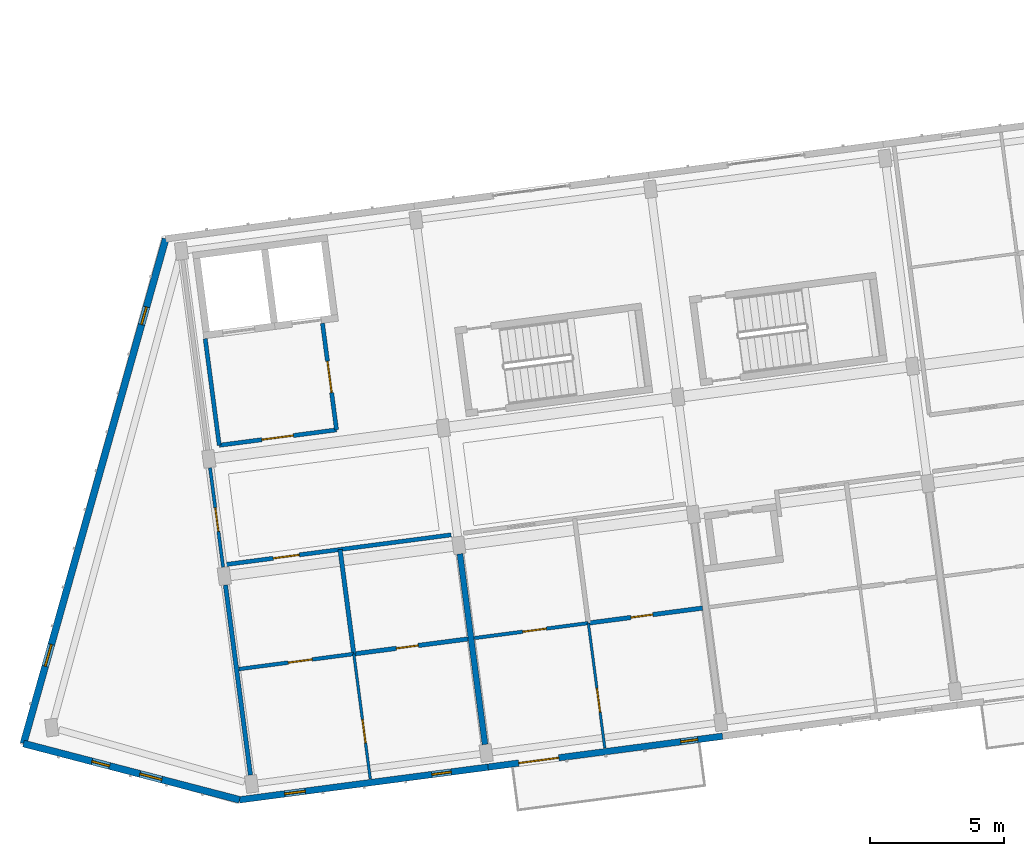
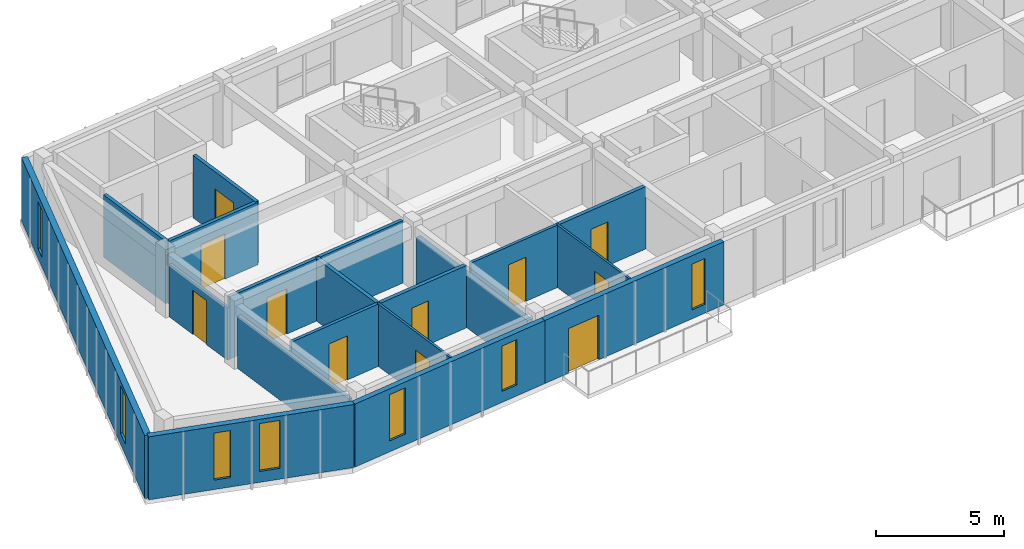
# One storey, part 12 of 31: 18 walls, 11 doors, 7 windows, 18 openings.
"""IFC4 building model written with IfcOpenShell, lengths in metres."""

from ifc_helpers import new_model, si_unit, direction, frame, frame_2d, origin, place, context, subcontext, project, spatial, rectangle, extrude, material, layer, layer_set, type_object, element, fill, save


model = new_model("IFC4")

# Units and contexts
model_context = context("Model", 3, precision=1e-05, world=origin(), true_north=direction((0.0, 1.0)))
body_context = subcontext(model_context, "Body", "Model", "MODEL_VIEW")
ifc_project = project(units=[si_unit("LENGTHUNIT", "METRE"), si_unit("AREAUNIT", "SQUARE_METRE"), si_unit("VOLUMEUNIT", "CUBIC_METRE"), si_unit("PLANEANGLEUNIT", "RADIAN"), si_unit("MASSUNIT", "GRAM", prefix="KILO")], contexts=[model_context])

# Site, building, storey
site_placement = place(None, origin())
site = spatial("IfcSite", under=ifc_project, at=site_placement, CompositionType="ELEMENT")
building_placement = place(site_placement, origin())
building = spatial("IfcBuilding", under=site, at=building_placement, Name="Kestramere Prow Commons", CompositionType="ELEMENT")
storey_placement = place(building_placement, frame((0.0, 0.0, 37.64990234375)))
storey = spatial("IfcBuildingStorey", under=building, at=storey_placement, Name="L11", CompositionType="ELEMENT", Elevation=37.64990234375)

# Wall, openings, windows
ifc_material_1 = material(Name="Weathered Zinc-Titanium Standing-Seam Cladding")
ifc_layer_1 = layer(ifc_material_1, 0.260009765625)
ifc_layer_set_1 = layer_set([ifc_layer_1], Name="Weathered Zinc-Titanium Standing-Seam Cladding")
wall_type_1 = type_object("IfcWallType", Name="EW-PROW-260", PredefinedType="SOLIDWALL", material=ifc_layer_set_1)
wall_1_placement = place(storey_placement, frame((10.748046875, 71.410888671875, 0.0), z_axis=(0.0, 0.0, 1.0), x_axis=(-0.967694955113, 0.252123925577, 0.0)))
wall_1 = element("IfcWall", 1, at=wall_1_placement, inside=storey, type_object=wall_type_1, Name="Block A L11 PRW-S Facet Wall", PredefinedType="SOLIDWALL", context=body_context, shape_type="SweptSolid", body=[
    extrude(rectangle(XDim=8.305419921875, YDim=0.260009765625, at=frame_2d((4.15283203125, 0.0))), origin(), (0.0, 0.0, 1.0), 3.0),
])
opening_1_placement = place(wall_1_placement, frame((2.989990234375, 0.0, 0.52001953125)))
opening_1 = element("IfcOpeningElement", 2, at=opening_1_placement, cuts=wall_1, Name="Opening WN-14", PredefinedType="OPENING", context=body_context, shape_type="SweptSolid", body=[
    extrude(rectangle(XDim=0.840087890625, YDim=2.280029296875, at=frame_2d((0.419921875, 1.14013671875))), frame((0.0, 0.14501953125, 0.0), z_axis=(0.0, -1.0, 0.0), x_axis=(1.0, 0.0, 0.0)), (0.0, 0.0, 1.0), 0.2900390625),
])
opening_2_placement = place(wall_1_placement, frame((4.995361328125, 0.0, 0.449951171875)))
opening_2 = element("IfcOpeningElement", 3, at=opening_2_placement, cuts=wall_1, Name="Opening WN-06", PredefinedType="OPENING", context=body_context, shape_type="SweptSolid", body=[
    extrude(rectangle(XDim=0.679931640625, YDim=2.239990234375, at=frame_2d((0.33984375, 1.1201171875))), frame((0.0, 0.14501953125, 0.0), z_axis=(0.0, -1.0, 0.0), x_axis=(1.0, 0.0, 0.0)), (0.0, 0.0, 1.0), 0.2900390625),
])
ifc_material_2 = material(Name="Low-E Laminated Double Glazing", Category="glass")
window_type_1 = type_object("IfcWindowType", Name="WN-NAR-680A", PartitioningType="SINGLE_PANEL", PredefinedType="WINDOW", material=ifc_material_2)
window_1_placement = place(opening_2_placement, origin())
window_1 = element("IfcWindow", 4, at=window_1_placement, inside=storey, type_object=window_type_1, Name="WN-A-L11-PRW-S-1", OverallHeight=2.239990234375, OverallWidth=0.679931640625, PartitioningType="SINGLE_PANEL", PredefinedType="WINDOW", context=body_context, shape_type="SweptSolid", body=[
    extrude(rectangle(XDim=0.679931640625, YDim=2.239990234375, at=frame_2d((0.33984375, 1.1201171875))), frame((0.0, 0.030029296875, 0.0), z_axis=(0.0, -1.0, 0.0), x_axis=(1.0, 0.0, 0.0)), (0.0, 0.0, 1.0), 0.06005859375),
])
fill(opening_2, window_1)
window_type_2 = type_object("IfcWindowType", Name="WN-NAR-840A", PartitioningType="DOUBLE_PANEL_VERTICAL", PredefinedType="WINDOW", material=ifc_material_2)
window_2_placement = place(opening_1_placement, origin())
window_2 = element("IfcWindow", 5, at=window_2_placement, inside=storey, type_object=window_type_2, Name="WN-A-L11-PRW-S-0", OverallHeight=2.280029296875, OverallWidth=0.840087890625, PartitioningType="SINGLE_PANEL", PredefinedType="WINDOW", context=body_context, shape_type="SweptSolid", body=[
    extrude(rectangle(XDim=0.840087890625, YDim=2.280029296875, at=frame_2d((0.419921875, 1.14013671875))), frame((0.0, 0.030029296875, 0.0), z_axis=(0.0, -1.0, 0.0), x_axis=(1.0, 0.0, 0.0)), (0.0, 0.0, 1.0), 0.06005859375),
])
fill(opening_1, window_2)

wall_2_placement = place(storey_placement, frame((2.7109375, 73.5048828125, 0.0), z_axis=(0.0, 0.0, 1.0), x_axis=(0.271165263368, 0.962532804606, 0.0)))
wall_2 = element("IfcWall", 6, at=wall_2_placement, inside=storey, type_object=wall_type_1, Name="Block A L11 PRW-N Facet Wall", PredefinedType="SOLIDWALL", context=body_context, shape_type="SweptSolid", body=[
    extrude(rectangle(XDim=19.5068359375, YDim=0.260009765625, at=frame_2d((9.75341796875, 0.0))), origin(), (0.0, 0.0, 1.0), 3.0),
])
opening_3_placement = place(wall_2_placement, frame((2.989990234375, 0.0, 0.52001953125)))
opening_3 = element("IfcOpeningElement", 7, at=opening_3_placement, cuts=wall_2, Name="Opening WN-14", PredefinedType="OPENING", context=body_context, shape_type="SweptSolid", body=[
    extrude(rectangle(XDim=0.840087890625, YDim=2.280029296875, at=frame_2d((0.419921875, 1.14013671875))), frame((0.0, 0.14501953125, 0.0), z_axis=(0.0, -1.0, 0.0), x_axis=(1.0, 0.0, 0.0)), (0.0, 0.0, 1.0), 0.2900390625),
])
opening_4_placement = place(wall_2_placement, frame((16.197021484375, 0.0, 0.449951171875)))
opening_4 = element("IfcOpeningElement", 8, at=opening_4_placement, cuts=wall_2, Name="Opening WN-06", PredefinedType="OPENING", context=body_context, shape_type="SweptSolid", body=[
    extrude(rectangle(XDim=0.679931640625, YDim=2.239990234375, at=frame_2d((0.33984375, 1.1201171875))), frame((0.0, 0.14501953125, 0.0), z_axis=(0.0, -1.0, 0.0), x_axis=(1.0, 0.0, 0.0)), (0.0, 0.0, 1.0), 0.2900390625),
])
window_3_placement = place(opening_4_placement, origin())
window_3 = element("IfcWindow", 9, at=window_3_placement, inside=storey, type_object=window_type_1, Name="WN-A-L11-PRW-N-1", OverallHeight=2.239990234375, OverallWidth=0.679931640625, PartitioningType="SINGLE_PANEL", PredefinedType="WINDOW", context=body_context, shape_type="SweptSolid", body=[
    extrude(rectangle(XDim=0.679931640625, YDim=2.239990234375, at=frame_2d((0.33984375, 1.1201171875))), frame((0.0, 0.030029296875, 0.0), z_axis=(0.0, -1.0, 0.0), x_axis=(1.0, 0.0, 0.0)), (0.0, 0.0, 1.0), 0.06005859375),
])
fill(opening_4, window_3)
window_4_placement = place(opening_3_placement, origin())
window_4 = element("IfcWindow", 10, at=window_4_placement, inside=storey, type_object=window_type_2, Name="WN-A-L11-PRW-N-0", OverallHeight=2.280029296875, OverallWidth=0.840087890625, PartitioningType="SINGLE_PANEL", PredefinedType="WINDOW", context=body_context, shape_type="SweptSolid", body=[
    extrude(rectangle(XDim=0.840087890625, YDim=2.280029296875, at=frame_2d((0.419921875, 1.14013671875))), frame((0.0, 0.030029296875, 0.0), z_axis=(0.0, -1.0, 0.0), x_axis=(1.0, 0.0, 0.0)), (0.0, 0.0, 1.0), 0.06005859375),
])
fill(opening_3, window_4)

ifc_material_3 = material(Name="Fluoropolymer Standing-Seam Zinc-Aluminium Cladding", Category="aluminium")
ifc_layer_2 = layer(ifc_material_3, 0.239990234375)
ifc_layer_set_2 = layer_set([ifc_layer_2], Name="Fluoropolymer Standing-Seam Zinc-Aluminium Cladding")
wall_type_2 = type_object("IfcWallType", Name="EW-SEAM-240", PredefinedType="SOLIDWALL", material=ifc_layer_set_2)
wall_3_placement = place(storey_placement, frame((19.9931640625, 72.628173828125, 0.0), z_axis=(0.0, 0.0, 1.0), x_axis=(-0.991442885224, -0.130541201693, 0.0)))
wall_3 = element("IfcWall", 11, at=wall_3_placement, inside=storey, type_object=wall_type_2, Name="Block A L11 South Standing-Seam Wall 1", PredefinedType="SOLIDWALL", context=body_context, shape_type="SweptSolid", body=[
    extrude(rectangle(XDim=9.324951171875, YDim=0.239990234375, at=frame_2d((4.66259765625, 0.0))), origin(), (0.0, 0.0, 1.0), 3.0),
])
opening_5_placement = place(wall_3_placement, frame((1.384033203125, 0.0, 0.52001953125)))
opening_5 = element("IfcOpeningElement", 12, at=opening_5_placement, cuts=wall_3, Name="Opening WN-08", PredefinedType="OPENING", context=body_context, shape_type="SweptSolid", body=[
    extrude(rectangle(XDim=0.719970703125, YDim=2.159912109375, at=frame_2d((0.35986328125, 1.080078125))), frame((0.0, 0.135009765625, 0.0), z_axis=(0.0, -1.0, 0.0), x_axis=(1.0, 0.0, 0.0)), (0.0, 0.0, 1.0), 0.27001953125),
])
opening_6_placement = place(wall_3_placement, frame((6.853759765625, 0.0, 0.52001953125)))
opening_6 = element("IfcOpeningElement", 13, at=opening_6_placement, cuts=wall_3, Name="Opening WN-11", PredefinedType="OPENING", context=body_context, shape_type="SweptSolid", body=[
    extrude(rectangle(XDim=0.780029296875, YDim=2.199951171875, at=frame_2d((0.39013671875, 1.10009765625))), frame((0.0, 0.135009765625, 0.0), z_axis=(0.0, -1.0, 0.0), x_axis=(1.0, 0.0, 0.0)), (0.0, 0.0, 1.0), 0.27001953125),
])
window_type_3 = type_object("IfcWindowType", Name="WN-NAR-720A", PartitioningType="SINGLE_PANEL", PredefinedType="WINDOW", material=ifc_material_2)
window_5_placement = place(opening_5_placement, origin())
window_5 = element("IfcWindow", 14, at=window_5_placement, inside=storey, type_object=window_type_3, Name="WN-A-L11-S-0-00", OverallHeight=2.159912109375, OverallWidth=0.719970703125, PartitioningType="SINGLE_PANEL", PredefinedType="WINDOW", context=body_context, shape_type="SweptSolid", body=[
    extrude(rectangle(XDim=0.719970703125, YDim=2.159912109375, at=frame_2d((0.35986328125, 1.080078125))), frame((0.0, 0.030029296875, 0.0), z_axis=(0.0, -1.0, 0.0), x_axis=(1.0, 0.0, 0.0)), (0.0, 0.0, 1.0), 0.06005859375),
])
fill(opening_5, window_5)
window_type_4 = type_object("IfcWindowType", Name="WN-NAR-780A", PartitioningType="SINGLE_PANEL", PredefinedType="WINDOW", material=ifc_material_2)
window_6_placement = place(opening_6_placement, origin())
window_6 = element("IfcWindow", 15, at=window_6_placement, inside=storey, type_object=window_type_4, Name="WN-A-L11-S-0-10", OverallHeight=2.199951171875, OverallWidth=0.780029296875, PartitioningType="SINGLE_PANEL", PredefinedType="WINDOW", context=body_context, shape_type="SweptSolid", body=[
    extrude(rectangle(XDim=0.780029296875, YDim=2.199951171875, at=frame_2d((0.39013671875, 1.10009765625))), frame((0.0, 0.030029296875, 0.0), z_axis=(0.0, -1.0, 0.0), x_axis=(1.0, 0.0, 0.0)), (0.0, 0.0, 1.0), 0.06005859375),
])
fill(opening_6, window_6)

# Wall, openings, door, window
wall_4_placement = place(storey_placement, frame((28.718017578125, 73.77685546875, 0.0), z_axis=(0.0, 0.0, 1.0), x_axis=(-0.991444377792, -0.130529865336, 0.0)))
wall_4 = element("IfcWall", 16, at=wall_4_placement, inside=storey, type_object=wall_type_2, Name="Block A L11 South Standing-Seam Wall 2", PredefinedType="SOLIDWALL", context=body_context, shape_type="SweptSolid", body=[
    extrude(rectangle(XDim=8.800048828125, YDim=0.239990234375, at=frame_2d((4.39990234375, 0.0))), origin(), (0.0, 0.0, 1.0), 3.0),
])
opening_7_placement = place(wall_4_placement, frame((6.14697265625, 0.0, 0.0)))
opening_7 = element("IfcOpeningElement", 17, at=opening_7_placement, cuts=wall_4, Name="Opening GD-BAL-01", PredefinedType="OPENING", context=body_context, shape_type="SweptSolid", body=[
    extrude(rectangle(XDim=1.5, YDim=2.1201171875, at=frame_2d((0.75, 1.06005859375))), frame((0.0, 0.135009765625, 0.0), z_axis=(0.0, -1.0, 0.0), x_axis=(1.0, 0.0, 0.0)), (0.0, 0.0, 1.0), 0.27001953125),
])
opening_8_placement = place(wall_4_placement, frame((0.929931640625, 0.0, 0.419921875)))
opening_8 = element("IfcOpeningElement", 18, at=opening_8_placement, cuts=wall_4, Name="Opening WN-04", PredefinedType="OPENING", context=body_context, shape_type="SweptSolid", body=[
    extrude(rectangle(XDim=0.639892578125, YDim=2.179931640625, at=frame_2d((0.31982421875, 1.08984375))), frame((0.0, 0.135009765625, 0.0), z_axis=(0.0, -1.0, 0.0), x_axis=(1.0, 0.0, 0.0)), (0.0, 0.0, 1.0), 0.27001953125),
])
ifc_material_4 = material(Name="Thermally-Broken Anodised Aluminium Glazed", Category="aluminium")
door_type_1 = type_object("IfcDoorType", Name="GD-BAL-1500", OperationType="SLIDING_TO_RIGHT", PredefinedType="DOOR", material=ifc_material_4)
door_1_placement = place(opening_7_placement, origin())
door_1 = element("IfcDoor", 19, at=door_1_placement, inside=storey, type_object=door_type_1, Name="Block A L11 Balcony Door 2", OperationType="SLIDING_TO_RIGHT", OverallHeight=2.1201171875, OverallWidth=1.5, PredefinedType="DOOR", context=body_context, shape_type="SweptSolid", body=[
    extrude(rectangle(XDim=1.5, YDim=2.1201171875, at=frame_2d((0.75, 1.06005859375))), frame((0.0, 0.02490234375, 0.0), z_axis=(0.0, -1.0, 0.0), x_axis=(1.0, 0.0, 0.0)), (0.0, 0.0, 1.0), 0.050048828125),
])
fill(opening_7, door_1)
window_type_5 = type_object("IfcWindowType", Name="WN-NAR-640A", PartitioningType="SINGLE_PANEL", PredefinedType="WINDOW", material=ifc_material_2)
window_7_placement = place(opening_8_placement, origin())
window_7 = element("IfcWindow", 20, at=window_7_placement, inside=storey, type_object=window_type_5, Name="WN-A-L11-SR-1", OverallHeight=2.179931640625, OverallWidth=0.639892578125, PartitioningType="SINGLE_PANEL", PredefinedType="WINDOW", context=body_context, shape_type="SweptSolid", body=[
    extrude(rectangle(XDim=0.639892578125, YDim=2.179931640625, at=frame_2d((0.31982421875, 1.08984375))), frame((0.0, 0.030029296875, 0.0), z_axis=(0.0, -1.0, 0.0), x_axis=(1.0, 0.0, 0.0)), (0.0, 0.0, 1.0), 0.06005859375),
])
fill(opening_8, window_7)

# Wall, opening, door
ifc_material_5 = material(Name="Fire-Rated Calcium Silicate Wall")
ifc_layer_3 = layer(ifc_material_5, 0.155029296875)
ifc_layer_set_3 = layer_set([ifc_layer_3], Name="Fire-Rated Calcium Silicate Wall")
wall_type_3 = type_object("IfcWallType", Name="W-FIRE-150", PredefinedType="PARTITIONING", material=ifc_layer_set_3)
wall_5_placement = place(storey_placement, frame((9.994873046875, 84.6005859375, 0.0), z_axis=(0.0, 0.0, 1.0), x_axis=(0.991448440179, 0.130499005613, 0.0)))
wall_5 = element("IfcWall", 21, at=wall_5_placement, inside=storey, type_object=wall_type_3, Name="Interior Partition PW-A-L11-FFL-S", PredefinedType="PARTITIONING", context=body_context, shape_type="SweptSolid", body=[
    extrude(rectangle(XDim=4.400146484375, YDim=0.155029296875, at=frame_2d((2.2001953125, 0.0))), origin(), (0.0, 0.0, 1.0), 2.97021484375),
])
opening_9_placement = place(wall_5_placement, frame((1.60009765625, 0.0, 0.0)))
opening_9 = element("IfcOpeningElement", 22, at=opening_9_placement, cuts=wall_5, Name="Opening ID-03", PredefinedType="OPENING", context=body_context, shape_type="SweptSolid", body=[
    extrude(rectangle(XDim=1.179931640625, YDim=2.14990234375, at=frame_2d((0.58984375, 1.074951171875))), frame((0.0, 0.092529296875, 0.0), z_axis=(0.0, -1.0, 0.0), x_axis=(1.0, 0.0, 0.0)), (0.0, 0.0, 1.0), 0.18505859375),
])
ifc_material_6 = material(Name="Fire-Rated Glazed Smoke-Stop Door")
door_type_2 = type_object("IfcDoorType", Name="FD-LB-01", OperationType="NOTDEFINED", PredefinedType="DOOR", material=ifc_material_6)
door_2_placement = place(opening_9_placement, origin())
door_2 = element("IfcDoor", 23, at=door_2_placement, inside=storey, type_object=door_type_2, Name="Interior Door DR-A-L11-FFL", OperationType="SINGLE_SWING_RIGHT", OverallHeight=2.14990234375, OverallWidth=1.179931640625, PredefinedType="DOOR", context=body_context, shape_type="SweptSolid", body=[
    extrude(rectangle(XDim=1.179931640625, YDim=2.14990234375, at=frame_2d((0.58984375, 1.074951171875))), frame((0.0, 0.02490234375, 0.0), z_axis=(0.0, -1.0, 0.0), x_axis=(1.0, 0.0, 0.0)), (0.0, 0.0, 1.0), 0.050048828125),
])
fill(opening_9, door_2)

# Wall
wall_6_placement = place(storey_placement, frame((9.994873046875, 84.6005859375, 0.0), z_axis=(0.0, 0.0, 1.0), x_axis=(-0.130492404742, 0.991449308994, 0.0)))
element("IfcWall", 24, at=wall_6_placement, inside=storey, type_object=wall_type_3, Name="Interior Partition PW-A-L11-FFL-W", PredefinedType="PARTITIONING", context=body_context, shape_type="SweptSolid", body=[
    extrude(rectangle(XDim=4.0, YDim=0.155029296875, at=frame_2d((2.0, 0.0))), origin(), (0.0, 0.0, 1.0), 2.97021484375),
])

# Wall, opening, door
wall_7_placement = place(storey_placement, frame((14.357421875, 85.1748046875, 0.0), z_axis=(0.0, 0.0, 1.0), x_axis=(-0.130552399509, 0.991441410766, 0.0)))
wall_7 = element("IfcWall", 25, at=wall_7_placement, inside=storey, type_object=wall_type_3, Name="Interior Partition PW-A-L11-FFL-E", PredefinedType="PARTITIONING", context=body_context, shape_type="SweptSolid", body=[
    extrude(rectangle(XDim=4.0, YDim=0.155029296875, at=frame_2d((2.0, 0.0))), origin(), (0.0, 0.0, 1.0), 2.97021484375),
])
opening_10_placement = place(wall_7_placement, frame((1.39990234375, 0.0, 0.0)))
opening_10 = element("IfcOpeningElement", 26, at=opening_10_placement, cuts=wall_7, Name="Opening ID-03", PredefinedType="OPENING", context=body_context, shape_type="SweptSolid", body=[
    extrude(rectangle(XDim=1.179931640625, YDim=2.14990234375, at=frame_2d((0.58984375, 1.074951171875))), frame((0.0, 0.092529296875, 0.0), z_axis=(0.0, -1.0, 0.0), x_axis=(1.0, 0.0, 0.0)), (0.0, 0.0, 1.0), 0.18505859375),
])
door_3_placement = place(opening_10_placement, origin())
door_3 = element("IfcDoor", 27, at=door_3_placement, inside=storey, type_object=door_type_2, Name="Interior Door DR-A-L11-FFL-PL", OperationType="SINGLE_SWING_LEFT", OverallHeight=2.14990234375, OverallWidth=1.179931640625, PredefinedType="DOOR", context=body_context, shape_type="SweptSolid", body=[
    extrude(rectangle(XDim=1.179931640625, YDim=2.14990234375, at=frame_2d((0.58984375, 1.074951171875))), frame((0.0, 0.02490234375, 0.0), z_axis=(0.0, -1.0, 0.0), x_axis=(1.0, 0.0, 0.0)), (0.0, 0.0, 1.0), 0.050048828125),
])
fill(opening_10, door_3)

wall_8_placement = place(storey_placement, frame((10.196533203125, 80.158935546875, 0.0), z_axis=(0.0, 0.0, 1.0), x_axis=(0.991447642549, 0.130505065361, 0.0)))
wall_8 = element("IfcWall", 28, at=wall_8_placement, inside=storey, type_object=wall_type_3, Name="Interior Partition PW-A-L11-CS-0", PredefinedType="PARTITIONING", context=body_context, shape_type="SweptSolid", body=[
    extrude(rectangle(XDim=8.4951171875, YDim=0.155029296875, at=frame_2d((4.24755859375, 0.0))), origin(), (0.0, 0.0, 1.0), 2.97021484375),
])
opening_11_placement = place(wall_8_placement, frame((1.820068359375, 0.0, 0.0)))
opening_11 = element("IfcOpeningElement", 29, at=opening_11_placement, cuts=wall_8, Name="Opening ID-04", PredefinedType="OPENING", context=body_context, shape_type="SweptSolid", body=[
    extrude(rectangle(XDim=0.97998046875, YDim=2.14990234375, at=frame_2d((0.489990234375, 1.074951171875))), frame((0.0, 0.092529296875, 0.0), z_axis=(0.0, -1.0, 0.0), x_axis=(1.0, 0.0, 0.0)), (0.0, 0.0, 1.0), 0.18505859375),
])
ifc_material_7 = material(Name="Hardwood Fire-Rated Flat Entrance Door", Category="wood")
door_type_3 = type_object("IfcDoorType", Name="FD-ENT-01", OperationType="NOTDEFINED", PredefinedType="DOOR", material=ifc_material_7)
door_4_placement = place(opening_11_placement, origin())
door_4 = element("IfcDoor", 30, at=door_4_placement, inside=storey, type_object=door_type_3, Name="Interior Door DR-A-L11-ENT-S0", OperationType="SINGLE_SWING_RIGHT", OverallHeight=2.14990234375, OverallWidth=0.97998046875, PredefinedType="DOOR", context=body_context, shape_type="SweptSolid", body=[
    extrude(rectangle(XDim=0.97998046875, YDim=2.14990234375, at=frame_2d((0.489990234375, 1.074951171875))), frame((0.0, 0.02490234375, 0.0), z_axis=(0.0, -1.0, 0.0), x_axis=(1.0, 0.0, 0.0)), (0.0, 0.0, 1.0), 0.050048828125),
])
fill(opening_11, door_4)

ifc_material_8 = material(Name="Gypsum Acoustic Drywall")
ifc_layer_4 = layer(ifc_material_8, 0.10009765625)
ifc_layer_set_4 = layer_set([ifc_layer_4], Name="Gypsum Acoustic Drywall")
wall_type_4 = type_object("IfcWallType", Name="W-PART-100", PredefinedType="PARTITIONING", material=ifc_layer_set_4)
wall_9_placement = place(storey_placement, frame((15.61328125, 72.187744140625, 0.0), z_axis=(0.0, 0.0, 1.0), x_axis=(-0.130554157184, 0.991441179315, 0.0)))
wall_9 = element("IfcWall", 31, at=wall_9_placement, inside=storey, type_object=wall_type_4, Name="Interior Partition PW-A-L11-LB-S0", PredefinedType="PARTITIONING", context=body_context, shape_type="SweptSolid", body=[
    extrude(rectangle(XDim=4.68994140625, YDim=0.10009765625, at=frame_2d((2.344970703125, 0.0))), origin(), (0.0, 0.0, 1.0), 2.97021484375),
])
opening_12_placement = place(wall_9_placement, frame((1.35009765625, 0.0, 0.0)))
opening_12 = element("IfcOpeningElement", 32, at=opening_12_placement, cuts=wall_9, Name="Opening ID-10", PredefinedType="OPENING", context=body_context, shape_type="SweptSolid", body=[
    extrude(rectangle(XDim=0.8798828125, YDim=2.10009765625, at=frame_2d((0.43994140625, 1.050048828125))), frame((0.0, 0.06494140625, 0.0), z_axis=(0.0, -1.0, 0.0), x_axis=(1.0, 0.0, 0.0)), (0.0, 0.0, 1.0), 0.130126953125),
])
ifc_material_9 = material(Name="Engineered Timber Bedroom Door", Category="wood")
door_type_4 = type_object("IfcDoorType", Name="D-RM-03", OperationType="NOTDEFINED", PredefinedType="DOOR", material=ifc_material_9)
door_5_placement = place(opening_12_placement, origin())
door_5 = element("IfcDoor", 33, at=door_5_placement, inside=storey, type_object=door_type_4, Name="Interior Door DR-A-L11-BED-S0", OperationType="SINGLE_SWING_LEFT", OverallHeight=2.10009765625, OverallWidth=0.8798828125, PredefinedType="DOOR", context=body_context, shape_type="SweptSolid", body=[
    extrude(rectangle(XDim=0.8798828125, YDim=2.10009765625, at=frame_2d((0.43994140625, 1.050048828125))), frame((0.0, 0.02490234375, 0.0), z_axis=(0.0, -1.0, 0.0), x_axis=(1.0, 0.0, 0.0)), (0.0, 0.0, 1.0), 0.050048828125),
])
fill(opening_12, door_5)

ifc_material_10 = material(Name="Lightweight Blockwork and Plaster", Category="masonry")
ifc_layer_5 = layer(ifc_material_10, 0.1201171875)
ifc_layer_set_5 = layer_set([ifc_layer_5], Name="Lightweight Blockwork and Plaster")
wall_type_5 = type_object("IfcWallType", Name="W-PART-120", PredefinedType="PARTITIONING", material=ifc_layer_set_5)
wall_10_placement = place(storey_placement, frame((10.13818359375, 80.0654296875, 0.0), z_axis=(0.0, 0.0, 1.0), x_axis=(-0.130517160134, 0.991446050429, 0.0)))
wall_10 = element("IfcWall", 34, at=wall_10_placement, inside=storey, type_object=wall_type_5, Name="Interior Partition PW-A-L11-PROW-ACC", PredefinedType="PARTITIONING", context=body_context, shape_type="SweptSolid", body=[
    extrude(rectangle(XDim=3.72998046875, YDim=0.1201171875, at=frame_2d((1.864990234375, 0.0))), origin(), (0.0, 0.0, 1.0), 2.5),
])
opening_13_placement = place(wall_10_placement, frame((1.35009765625, 0.0, 0.0)))
opening_13 = element("IfcOpeningElement", 35, at=opening_13_placement, cuts=wall_10, Name="Opening ID-10", PredefinedType="OPENING", context=body_context, shape_type="SweptSolid", body=[
    extrude(rectangle(XDim=0.8798828125, YDim=2.10009765625, at=frame_2d((0.43994140625, 1.050048828125))), frame((0.0, 0.074951171875, 0.0), z_axis=(0.0, -1.0, 0.0), x_axis=(1.0, 0.0, 0.0)), (0.0, 0.0, 1.0), 0.150146484375),
])
door_6_placement = place(opening_13_placement, origin())
door_6 = element("IfcDoor", 36, at=door_6_placement, inside=storey, type_object=door_type_4, Name="Interior Door DR-A-L11-PROW", OperationType="SINGLE_SWING_LEFT", OverallHeight=2.10009765625, OverallWidth=0.8798828125, PredefinedType="DOOR", context=body_context, shape_type="SweptSolid", body=[
    extrude(rectangle(XDim=0.8798828125, YDim=2.10009765625, at=frame_2d((0.43994140625, 1.050048828125))), frame((0.0, 0.02490234375, 0.0), z_axis=(0.0, -1.0, 0.0), x_axis=(1.0, 0.0, 0.0)), (0.0, 0.0, 1.0), 0.050048828125),
])
fill(opening_13, door_6)

ifc_layer_6 = layer(ifc_material_10, 0.1298828125)
ifc_layer_set_6 = layer_set([ifc_layer_6], Name="Lightweight Blockwork and Plaster")
wall_type_6 = type_object("IfcWallType", Name="W-PART-130", PredefinedType="PARTITIONING", material=ifc_layer_set_6)
wall_11_placement = place(storey_placement, frame((19.4775390625, 77.4267578125, 0.0), z_axis=(0.0, 0.0, 1.0), x_axis=(0.991444014242, 0.130532626667, 0.0)))
wall_11 = element("IfcWall", 37, at=wall_11_placement, inside=storey, type_object=wall_type_6, Name="Interior Partition PW-A-L11-MIDS1-1", PredefinedType="PARTITIONING", context=body_context, shape_type="SweptSolid", body=[
    extrude(rectangle(XDim=4.284912109375, YDim=0.1298828125, at=frame_2d((2.142578125, 0.0))), origin(), (0.0, 0.0, 1.0), 2.97021484375),
])
opening_14_placement = place(wall_11_placement, frame((1.824951171875, 0.0, 0.0)))
opening_14 = element("IfcOpeningElement", 38, at=opening_14_placement, cuts=wall_11, Name="Opening ID-10", PredefinedType="OPENING", context=body_context, shape_type="SweptSolid", body=[
    extrude(rectangle(XDim=0.8798828125, YDim=2.10009765625, at=frame_2d((0.43994140625, 1.050048828125))), frame((0.0, 0.079833984375, 0.0), z_axis=(0.0, -1.0, 0.0), x_axis=(1.0, 0.0, 0.0)), (0.0, 0.0, 1.0), 0.159912109375),
])
door_7_placement = place(opening_14_placement, origin())
door_7 = element("IfcDoor", 39, at=door_7_placement, inside=storey, type_object=door_type_4, Name="Interior Door DR-A-L11-KL-S1", OperationType="SINGLE_SWING_RIGHT", OverallHeight=2.10009765625, OverallWidth=0.8798828125, PredefinedType="DOOR", context=body_context, shape_type="SweptSolid", body=[
    extrude(rectangle(XDim=0.8798828125, YDim=2.10009765625, at=frame_2d((0.43994140625, 1.050048828125))), frame((0.0, 0.02490234375, 0.0), z_axis=(0.0, -1.0, 0.0), x_axis=(1.0, 0.0, 0.0)), (0.0, 0.0, 1.0), 0.050048828125),
])
fill(opening_14, door_7)

ifc_material_11 = material(Name="Masonry Compartment Wall", Category="masonry")
ifc_layer_7 = layer(ifc_material_11, 0.139892578125)
ifc_layer_set_7 = layer_set([ifc_layer_7], Name="Masonry Compartment Wall")
wall_type_7 = type_object("IfcWallType", Name="W-PART-140", PredefinedType="PARTITIONING", material=ifc_layer_set_7)
wall_12_placement = place(storey_placement, frame((10.72802734375, 76.27490234375, 0.0), z_axis=(0.0, 0.0, 1.0), x_axis=(0.991438863922, 0.130571739306, 0.0)))
wall_12 = element("IfcWall", 40, at=wall_12_placement, inside=storey, type_object=wall_type_7, Name="Interior Partition PW-A-L11-MIDS1-0", PredefinedType="PARTITIONING", context=body_context, shape_type="SweptSolid", body=[
    extrude(rectangle(XDim=4.309814453125, YDim=0.139892578125, at=frame_2d((2.15478515625, 0.0))), origin(), (0.0, 0.0, 1.0), 2.97021484375),
])
opening_15_placement = place(wall_12_placement, frame((1.85009765625, 0.0, 0.0)))
opening_15 = element("IfcOpeningElement", 41, at=opening_15_placement, cuts=wall_12, Name="Opening ID-08", PredefinedType="OPENING", context=body_context, shape_type="SweptSolid", body=[
    extrude(rectangle(XDim=0.89990234375, YDim=2.10009765625, at=frame_2d((0.449951171875, 1.050048828125))), frame((0.0, 0.0849609375, 0.0), z_axis=(0.0, -1.0, 0.0), x_axis=(1.0, 0.0, 0.0)), (0.0, 0.0, 1.0), 0.169921875),
])
ifc_material_12 = material(Name="Engineered Timber Flush Door", Category="wood")
door_type_5 = type_object("IfcDoorType", Name="D-RM-01", OperationType="NOTDEFINED", PredefinedType="DOOR", material=ifc_material_12)
door_8_placement = place(opening_15_placement, origin())
door_8 = element("IfcDoor", 42, at=door_8_placement, inside=storey, type_object=door_type_5, Name="Interior Door DR-A-L11-KL-S0", OperationType="SINGLE_SWING_RIGHT", OverallHeight=2.10009765625, OverallWidth=0.89990234375, PredefinedType="DOOR", context=body_context, shape_type="SweptSolid", body=[
    extrude(rectangle(XDim=0.89990234375, YDim=2.10009765625, at=frame_2d((0.449951171875, 1.050048828125))), frame((0.0, 0.02490234375, 0.0), z_axis=(0.0, -1.0, 0.0), x_axis=(1.0, 0.0, 0.0)), (0.0, 0.0, 1.0), 0.050048828125),
])
fill(opening_15, door_8)

ifc_layer_8 = layer(ifc_material_8, 0.094970703125)
ifc_layer_set_8 = layer_set([ifc_layer_8], Name="Gypsum Acoustic Drywall")
wall_type_8 = type_object("IfcWallType", Name="W-PART-95", PredefinedType="PARTITIONING", material=ifc_layer_set_8)
wall_13_placement = place(storey_placement, frame((24.337890625, 73.336181640625, 0.0), z_axis=(0.0, 0.0, 1.0), x_axis=(-0.130502988823, 0.991447915883, 0.0)))
wall_13 = element("IfcWall", 43, at=wall_13_placement, inside=storey, type_object=wall_type_8, Name="Interior Partition PW-A-L11-LB-S1", PredefinedType="PARTITIONING", context=body_context, shape_type="SweptSolid", body=[
    extrude(rectangle(XDim=4.68994140625, YDim=0.094970703125, at=frame_2d((2.344970703125, 0.0))), origin(), (0.0, 0.0, 1.0), 2.97021484375),
])
opening_16_placement = place(wall_13_placement, frame((1.35009765625, 0.0, 0.0)))
opening_16 = element("IfcOpeningElement", 44, at=opening_16_placement, cuts=wall_13, Name="Opening ID-08", PredefinedType="OPENING", context=body_context, shape_type="SweptSolid", body=[
    extrude(rectangle(XDim=0.89990234375, YDim=2.10009765625, at=frame_2d((0.449951171875, 1.050048828125))), frame((0.0, 0.0625, 0.0), z_axis=(0.0, -1.0, 0.0), x_axis=(1.0, 0.0, 0.0)), (0.0, 0.0, 1.0), 0.125),
])
door_9_placement = place(opening_16_placement, origin())
door_9 = element("IfcDoor", 45, at=door_9_placement, inside=storey, type_object=door_type_5, Name="Interior Door DR-A-L11-BED-S1", OperationType="SINGLE_SWING_RIGHT", OverallHeight=2.10009765625, OverallWidth=0.89990234375, PredefinedType="DOOR", context=body_context, shape_type="SweptSolid", body=[
    extrude(rectangle(XDim=0.89990234375, YDim=2.10009765625, at=frame_2d((0.449951171875, 1.050048828125))), frame((0.0, 0.02490234375, 0.0), z_axis=(0.0, -1.0, 0.0), x_axis=(1.0, 0.0, 0.0)), (0.0, 0.0, 1.0), 0.050048828125),
])
fill(opening_16, door_9)

# Wall
ifc_material_13 = material(Name="Waterproof Sanitary Masonry Wall", Category="masonry")
ifc_layer_9 = layer(ifc_material_13, 0.1650390625)
ifc_layer_set_9 = layer_set([ifc_layer_9], Name="Waterproof Sanitary Masonry Wall")
wall_type_9 = type_object("IfcWallType", Name="W-PLUMB-150", PredefinedType="PLUMBINGWALL", material=ifc_layer_set_9)
wall_14_placement = place(storey_placement, frame((11.15625, 72.33203125, 0.0), z_axis=(0.0, 0.0, 1.0), x_axis=(-0.130526257258, 0.991444852811, 0.0)))
element("IfcWall", 46, at=wall_14_placement, inside=storey, type_object=wall_type_9, Name="Interior Partition PW-A-L11-PRWW-S", PredefinedType="PLUMBINGWALL", context=body_context, shape_type="SweptSolid", body=[
    extrude(rectangle(XDim=7.130126953125, YDim=0.1650390625, at=frame_2d((3.56494140625, 0.0))), origin(), (0.0, 0.0, 1.0), 2.5),
])

# Wall, opening, door
wall_15_placement = place(storey_placement, frame((15.0009765625, 76.837646484375, 0.0), z_axis=(0.0, 0.0, 1.0), x_axis=(0.991452356241, 0.130469250419, 0.0)))
wall_15 = element("IfcWall", 47, at=wall_15_placement, inside=storey, type_object=wall_type_9, Name="Interior Partition PW-A-L11-MIDS2-0", PredefinedType="PLUMBINGWALL", context=body_context, shape_type="SweptSolid", body=[
    extrude(rectangle(XDim=4.28515625, YDim=0.1650390625, at=frame_2d((2.142578125, 0.0))), origin(), (0.0, 0.0, 1.0), 2.97021484375),
])
opening_17_placement = place(wall_15_placement, frame((1.60009765625, 0.0, 0.0)))
opening_17 = element("IfcOpeningElement", 48, at=opening_17_placement, cuts=wall_15, Name="Opening ID-11", PredefinedType="OPENING", context=body_context, shape_type="SweptSolid", body=[
    extrude(rectangle(XDim=0.820068359375, YDim=2.080078125, at=frame_2d((0.41015625, 1.0400390625))), frame((0.0, 0.097412109375, 0.0), z_axis=(0.0, -1.0, 0.0), x_axis=(1.0, 0.0, 0.0)), (0.0, 0.0, 1.0), 0.195068359375),
])
ifc_material_14 = material(Name="Moisture-Resistant Timber Bathroom Door", Category="wood")
door_type_6 = type_object("IfcDoorType", Name="D-BT-01", OperationType="NOTDEFINED", PredefinedType="DOOR", material=ifc_material_14)
door_10_placement = place(opening_17_placement, origin())
door_10 = element("IfcDoor", 49, at=door_10_placement, inside=storey, type_object=door_type_6, Name="Interior Door DR-A-L11-BTH-S0", OperationType="SINGLE_SWING_LEFT", OverallHeight=2.080078125, OverallWidth=0.820068359375, PredefinedType="DOOR", context=body_context, shape_type="SweptSolid", body=[
    extrude(rectangle(XDim=0.820068359375, YDim=2.080078125, at=frame_2d((0.41015625, 1.0400390625))), frame((0.0, 0.02490234375, 0.0), z_axis=(0.0, -1.0, 0.0), x_axis=(1.0, 0.0, 0.0)), (0.0, 0.0, 1.0), 0.050048828125),
])
fill(opening_17, door_10)

# Wall
wall_16_placement = place(storey_placement, frame((15.0009765625, 76.837646484375, 0.0), z_axis=(0.0, 0.0, 1.0), x_axis=(-0.130486736108, 0.991450055071, 0.0)))
element("IfcWall", 50, at=wall_16_placement, inside=storey, type_object=wall_type_9, Name="Interior Partition PW-A-L11-KB-S0", PredefinedType="PLUMBINGWALL", context=body_context, shape_type="SweptSolid", body=[
    extrude(rectangle(XDim=3.919677734375, YDim=0.1650390625, at=frame_2d((1.9599609375, 0.0))), origin(), (0.0, 0.0, 1.0), 2.97021484375),
])

# Wall, opening, door
wall_17_placement = place(storey_placement, frame((23.725830078125, 77.986083984375, 0.0), z_axis=(0.0, 0.0, 1.0), x_axis=(0.991444014242, 0.130532626667, 0.0)))
wall_17 = element("IfcWall", 51, at=wall_17_placement, inside=storey, type_object=wall_type_9, Name="Interior Partition PW-A-L11-MIDS2-1", PredefinedType="PLUMBINGWALL", context=body_context, shape_type="SweptSolid", body=[
    extrude(rectangle(XDim=4.284912109375, YDim=0.1650390625, at=frame_2d((2.142578125, 0.0))), origin(), (0.0, 0.0, 1.0), 2.97021484375),
])
opening_18_placement = place(wall_17_placement, frame((1.60009765625, 0.0, 0.0)))
opening_18 = element("IfcOpeningElement", 52, at=opening_18_placement, cuts=wall_17, Name="Opening ID-11", PredefinedType="OPENING", context=body_context, shape_type="SweptSolid", body=[
    extrude(rectangle(XDim=0.820068359375, YDim=2.080078125, at=frame_2d((0.41015625, 1.0400390625))), frame((0.0, 0.097412109375, 0.0), z_axis=(0.0, -1.0, 0.0), x_axis=(1.0, 0.0, 0.0)), (0.0, 0.0, 1.0), 0.195068359375),
])
door_11_placement = place(opening_18_placement, origin())
door_11 = element("IfcDoor", 53, at=door_11_placement, inside=storey, type_object=door_type_6, Name="Interior Door DR-A-L11-BTH-S1", OperationType="SINGLE_SWING_LEFT", OverallHeight=2.080078125, OverallWidth=0.820068359375, PredefinedType="DOOR", context=body_context, shape_type="SweptSolid", body=[
    extrude(rectangle(XDim=0.820068359375, YDim=2.080078125, at=frame_2d((0.41015625, 1.0400390625))), frame((0.0, 0.02490234375, 0.0), z_axis=(0.0, -1.0, 0.0), x_axis=(1.0, 0.0, 0.0)), (0.0, 0.0, 1.0), 0.050048828125),
])
fill(opening_18, door_11)

# Wall
ifc_material_15 = material(Name="Precast concrete C40/50", Category="concrete")
ifc_layer_10 = layer(ifc_material_15, 0.219970703125)
ifc_layer_set_10 = layer_set([ifc_layer_10], Name="Precast concrete C40/50")
wall_type_10 = type_object("IfcWallType", Name="W-XWALL-220", PredefinedType="SHEAR", material=ifc_layer_set_10)
wall_18_placement = place(storey_placement, frame((19.88232421875, 73.470947265625, 0.0), z_axis=(0.0, 0.0, 1.0), x_axis=(-0.130541958643, 0.991442785557, 0.0)))
element("IfcWall", 54, at=wall_18_placement, inside=storey, type_object=wall_type_10, Name="Block A L11 Precast Cross-Wall 1", PredefinedType="SHEAR", context=body_context, shape_type="SweptSolid", body=[
    extrude(rectangle(XDim=7.14990234375, YDim=0.219970703125, at=frame_2d((3.574951171875, 0.0))), origin(), (0.0, 0.0, 1.0), 2.5),
])

save(model, "model.ifc")
